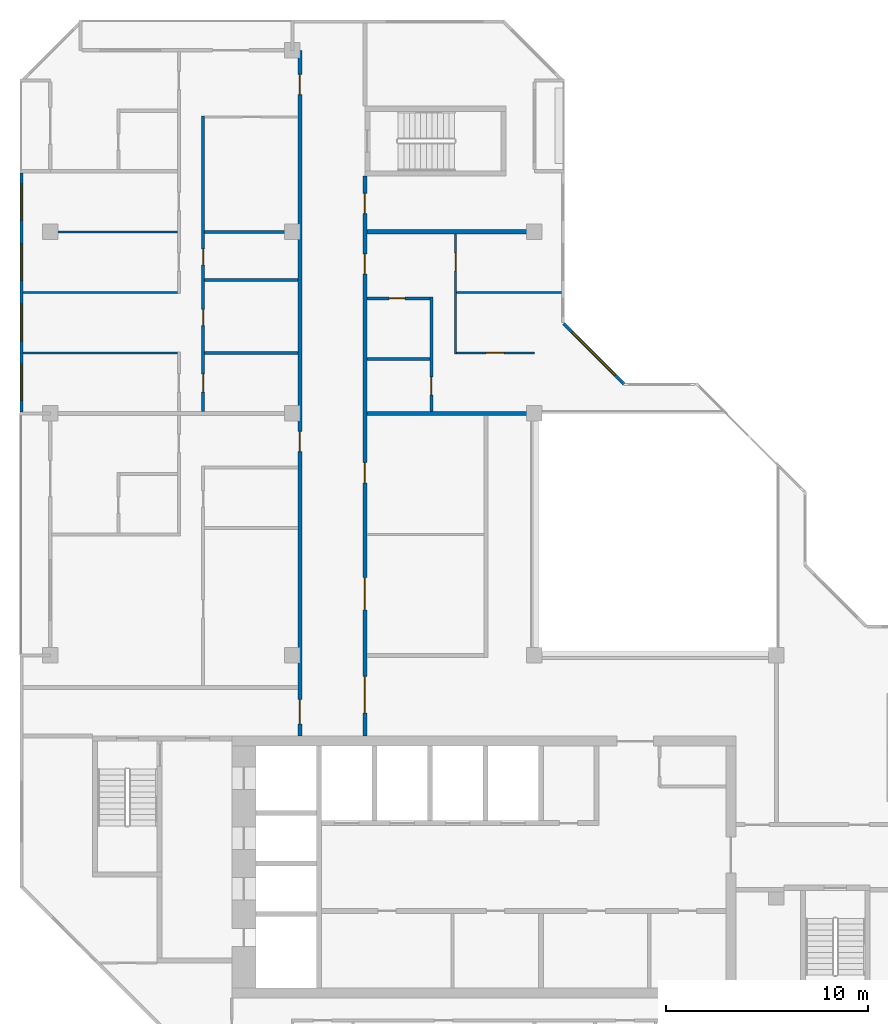
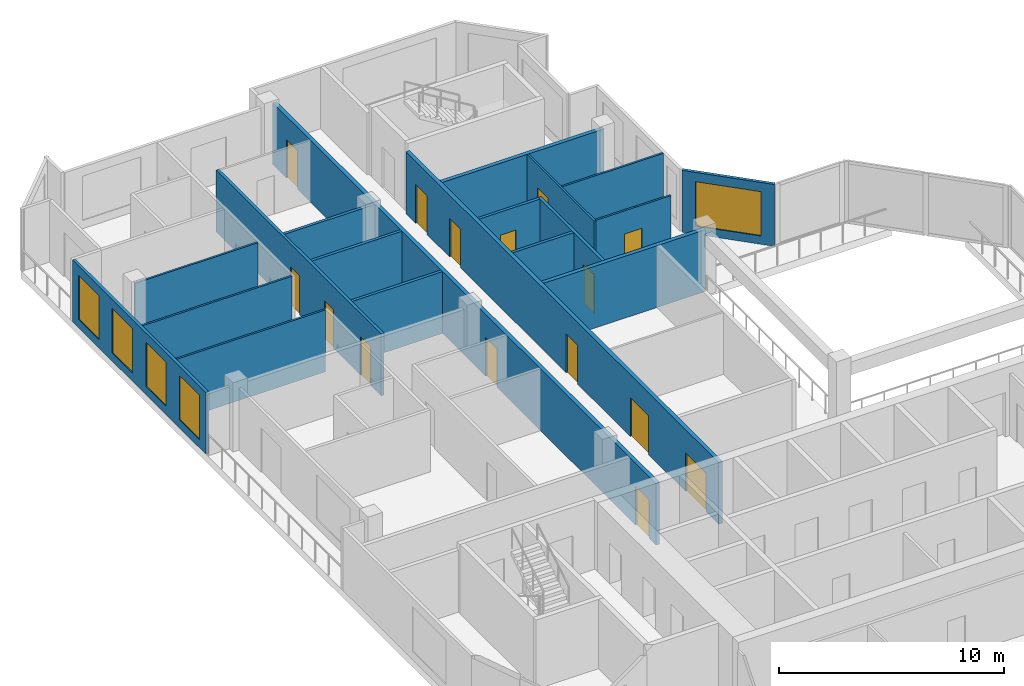
# One storey, part 8 of 12: 19 walls, 15 doors, 5 windows, 20 openings.
"""IFC4 building model written with IfcOpenShell, lengths in metres."""

from ifc_helpers import new_model, si_unit, direction, frame, frame_2d, origin, place, context, subcontext, project, spatial, rectangle, extrude, material, layer, layer_set, type_object, element, fill, save


model = new_model("IFC4")

# Units and contexts
model_context = context("Model", 3, precision=1e-05, world=origin(), true_north=direction((0.0, 1.0)))
body_context = subcontext(model_context, "Body", "Model", "MODEL_VIEW")
ifc_project = project(units=[si_unit("LENGTHUNIT", "METRE"), si_unit("AREAUNIT", "SQUARE_METRE"), si_unit("VOLUMEUNIT", "CUBIC_METRE"), si_unit("PLANEANGLEUNIT", "RADIAN"), si_unit("MASSUNIT", "GRAM", prefix="KILO")], contexts=[model_context])

# Site, building, storey
site_placement = place(None, origin())
site = spatial("IfcSite", under=ifc_project, at=site_placement, CompositionType="ELEMENT")
building_placement = place(site_placement, origin())
building = spatial("IfcBuilding", under=site, at=building_placement, Name="Chenar Terraces", CompositionType="ELEMENT")
storey_placement = place(building_placement, frame((0.0, 0.0, 342.64990234375)))
storey = spatial("IfcBuildingStorey", under=building, at=storey_placement, Name="L79", CompositionType="ELEMENT", Elevation=342.64990234375)

# Wall, openings, doors
ifc_material_1 = material(Name="Gypsum board on steel studs with fire boards", Category="steel")
ifc_layer_1 = layer(ifc_material_1, 0.199951171875)
ifc_layer_set_1 = layer_set([ifc_layer_1], Name="Gypsum board on steel studs with fire boards")
wall_type_1 = type_object("IfcWallType", Name="Corridor wall 200", PredefinedType="PARTITIONING", material=ifc_layer_set_1)
wall_1_placement = place(storey_placement, frame((12.375, 20.0, 0.0), z_axis=(0.0, 0.0, 1.0), x_axis=(0.0, 1.0, 0.0)))
wall_1 = element("IfcWall", 1, at=wall_1_placement, inside=storey, type_object=wall_type_1, Name="Partition L79-029", PredefinedType="PARTITIONING", context=body_context, shape_type="SweptSolid", body=[
    extrude(rectangle(XDim=34.0, YDim=0.199951171875, at=frame_2d((17.0, 0.0))), origin(), (0.0, 0.0, 1.0), 3.35009765625),
])
opening_1_placement = place(wall_1_placement, frame((31.800048828125, 0.0, 0.0)))
opening_1 = element("IfcOpeningElement", 2, at=opening_1_placement, cuts=wall_1, Name="Opening DL79-15", PredefinedType="OPENING", context=body_context, shape_type="SweptSolid", body=[
    extrude(rectangle(XDim=1.0, YDim=2.10009765625, at=frame_2d((0.5, 1.050048828125))), frame((0.0, 0.10986328125, 0.0), z_axis=(0.0, -1.0, 0.0), x_axis=(1.0, 0.0, 0.0)), (0.0, 0.0, 1.0), 0.219970703125),
])
opening_2_placement = place(wall_1_placement, frame((0.60009765625, 0.0, 0.0)))
opening_2 = element("IfcOpeningElement", 3, at=opening_2_placement, cuts=wall_1, Name="Opening DL79-21", PredefinedType="OPENING", context=body_context, shape_type="SweptSolid", body=[
    extrude(rectangle(XDim=1.199951171875, YDim=2.10009765625, at=frame_2d((0.60009765625, 1.050048828125))), frame((0.0, 0.10986328125, 0.0), z_axis=(0.0, -1.0, 0.0), x_axis=(1.0, 0.0, 0.0)), (0.0, 0.0, 1.0), 0.219970703125),
])
opening_3_placement = place(wall_1_placement, frame((14.10009765625, 0.0, 0.0)))
opening_3 = element("IfcOpeningElement", 4, at=opening_3_placement, cuts=wall_1, Name="Opening DL79-44", PredefinedType="OPENING", context=body_context, shape_type="SweptSolid", body=[
    extrude(rectangle(XDim=1.0, YDim=2.10009765625, at=frame_2d((0.5, 1.050048828125))), frame((0.0, 0.10986328125, 0.0), z_axis=(0.0, -1.0, 0.0), x_axis=(1.0, 0.0, 0.0)), (0.0, 0.0, 1.0), 0.219970703125),
])
ifc_material_2 = material(Name="Steel-framed fire-resisting door leaf", Category="steel")
door_type_1 = type_object("IfcDoorType", Name="Fire door FD30S 1000 x 2100", OperationType="SINGLE_SWING_LEFT", PredefinedType="DOOR", material=ifc_material_2)
door_1_placement = place(opening_1_placement, origin())
door_1 = element("IfcDoor", 5, at=door_1_placement, inside=storey, type_object=door_type_1, Name="Door DL79-15", OperationType="SINGLE_SWING_RIGHT", OverallHeight=2.10009765625, OverallWidth=1.0, PredefinedType="DOOR", context=body_context, shape_type="SweptSolid", body=[
    extrude(rectangle(XDim=1.0, YDim=2.10009765625, at=frame_2d((0.5, 1.050048828125))), frame((0.0, 0.02490234375, 0.0), z_axis=(0.0, -1.0, 0.0), x_axis=(1.0, 0.0, 0.0)), (0.0, 0.0, 1.0), 0.050048828125),
])
fill(opening_1, door_1)
door_2_placement = place(opening_3_placement, origin())
door_2 = element("IfcDoor", 6, at=door_2_placement, inside=storey, type_object=door_type_1, Name="Door DL79-44", OperationType="SINGLE_SWING_RIGHT", OverallHeight=2.10009765625, OverallWidth=1.0, PredefinedType="DOOR", context=body_context, shape_type="SweptSolid", body=[
    extrude(rectangle(XDim=1.0, YDim=2.10009765625, at=frame_2d((0.5, 1.050048828125))), frame((0.0, 0.02490234375, 0.0), z_axis=(0.0, -1.0, 0.0), x_axis=(1.0, 0.0, 0.0)), (0.0, 0.0, 1.0), 0.050048828125),
])
fill(opening_3, door_2)
ifc_material_3 = material(Name="Steel-framed fire-resisting door leaf", Category="steel")
door_type_2 = type_object("IfcDoorType", Name="Fire door FD30S 1200 x 2100", OperationType="SINGLE_SWING_LEFT", PredefinedType="DOOR", material=ifc_material_3)
door_3_placement = place(opening_2_placement, origin())
door_3 = element("IfcDoor", 7, at=door_3_placement, inside=storey, type_object=door_type_2, Name="Door DL79-21", OperationType="SINGLE_SWING_RIGHT", OverallHeight=2.10009765625, OverallWidth=1.199951171875, PredefinedType="DOOR", context=body_context, shape_type="SweptSolid", body=[
    extrude(rectangle(XDim=1.199951171875, YDim=2.10009765625, at=frame_2d((0.60009765625, 1.050048828125))), frame((0.0, 0.02490234375, 0.0), z_axis=(0.0, -1.0, 0.0), x_axis=(1.0, 0.0, 0.0)), (0.0, 0.0, 1.0), 0.050048828125),
])
fill(opening_2, door_3)

wall_2_placement = place(storey_placement, frame((15.60009765625, 20.0, 0.0), z_axis=(0.0, 0.0, 1.0), x_axis=(0.0, 1.0, 0.0)))
wall_2 = element("IfcWall", 8, at=wall_2_placement, inside=storey, type_object=wall_type_1, Name="Partition L79-031", PredefinedType="PARTITIONING", context=body_context, shape_type="SweptSolid", body=[
    extrude(rectangle(XDim=27.77490234375, YDim=0.199951171875, at=frame_2d((13.887451171875, 0.0))), origin(), (0.0, 0.0, 1.0), 3.35009765625),
])
opening_4_placement = place(wall_2_placement, frame((6.25, 0.0, 0.0)))
opening_4 = element("IfcOpeningElement", 9, at=opening_4_placement, cuts=wall_2, Name="Opening DL79-1", PredefinedType="OPENING", context=body_context, shape_type="SweptSolid", body=[
    extrude(rectangle(XDim=1.60009765625, YDim=2.10009765625, at=frame_2d((0.800048828125, 1.050048828125))), frame((0.0, 0.10986328125, 0.0), z_axis=(0.0, -1.0, 0.0), x_axis=(1.0, 0.0, 0.0)), (0.0, 0.0, 1.0), 0.219970703125),
])
opening_5_placement = place(wall_2_placement, frame((12.550048828125, 0.0, 0.0)))
opening_5 = element("IfcOpeningElement", 10, at=opening_5_placement, cuts=wall_2, Name="Opening DL79-2", PredefinedType="OPENING", context=body_context, shape_type="SweptSolid", body=[
    extrude(rectangle(XDim=1.0, YDim=2.10009765625, at=frame_2d((0.5, 1.050048828125))), frame((0.0, 0.10986328125, 0.0), z_axis=(0.0, -1.0, 0.0), x_axis=(1.0, 0.0, 0.0)), (0.0, 0.0, 1.0), 0.219970703125),
])
opening_6_placement = place(wall_2_placement, frame((22.89990234375, 0.0, 0.0)))
opening_6 = element("IfcOpeningElement", 11, at=opening_6_placement, cuts=wall_2, Name="Opening DL79-8", PredefinedType="OPENING", context=body_context, shape_type="SweptSolid", body=[
    extrude(rectangle(XDim=1.0, YDim=2.10009765625, at=frame_2d((0.5, 1.050048828125))), frame((0.0, 0.10986328125, 0.0), z_axis=(0.0, -1.0, 0.0), x_axis=(1.0, 0.0, 0.0)), (0.0, 0.0, 1.0), 0.219970703125),
])
opening_7_placement = place(wall_2_placement, frame((1.14990234375, 0.0, 0.0)))
opening_7 = element("IfcOpeningElement", 12, at=opening_7_placement, cuts=wall_2, Name="Opening DL79-20", PredefinedType="OPENING", context=body_context, shape_type="SweptSolid", body=[
    extrude(rectangle(XDim=1.800048828125, YDim=2.10009765625, at=frame_2d((0.89990234375, 1.050048828125))), frame((0.0, 0.10986328125, 0.0), z_axis=(0.0, -1.0, 0.0), x_axis=(1.0, 0.0, 0.0)), (0.0, 0.0, 1.0), 0.219970703125),
])
opening_8_placement = place(wall_2_placement, frame((25.89990234375, 0.0, 0.0)))
opening_8 = element("IfcOpeningElement", 13, at=opening_8_placement, cuts=wall_2, Name="Opening DL79-23", PredefinedType="OPENING", context=body_context, shape_type="SweptSolid", body=[
    extrude(rectangle(XDim=1.0, YDim=2.10009765625, at=frame_2d((0.5, 1.050048828125))), frame((0.0, 0.10986328125, 0.0), z_axis=(0.0, -1.0, 0.0), x_axis=(1.0, 0.0, 0.0)), (0.0, 0.0, 1.0), 0.219970703125),
])
ifc_material_4 = material(Name="Steel-framed fire-resisting door leaf", Category="steel")
door_type_3 = type_object("IfcDoorType", Name="Fire door FD60 1000 x 2100", OperationType="SINGLE_SWING_LEFT", PredefinedType="DOOR", material=ifc_material_4)
door_4_placement = place(opening_5_placement, frame((1.0, 0.0, 0.0), z_axis=(0.0, 0.0, 1.0), x_axis=(-1.0, 0.0, 0.0)))
door_4 = element("IfcDoor", 14, at=door_4_placement, inside=storey, type_object=door_type_3, Name="Door DL79-2", OperationType="SINGLE_SWING_LEFT", OverallHeight=2.10009765625, OverallWidth=1.0, PredefinedType="DOOR", context=body_context, shape_type="SweptSolid", body=[
    extrude(rectangle(XDim=1.0, YDim=2.10009765625, at=frame_2d((0.5, 1.050048828125))), frame((0.0, 0.02490234375, 0.0), z_axis=(0.0, -1.0, 0.0), x_axis=(1.0, 0.0, 0.0)), (0.0, 0.0, 1.0), 0.050048828125),
])
fill(opening_5, door_4)
door_5_placement = place(opening_6_placement, frame((1.0, 0.0, 0.0), z_axis=(0.0, 0.0, 1.0), x_axis=(-1.0, 0.0, 0.0)))
door_5 = element("IfcDoor", 15, at=door_5_placement, inside=storey, type_object=door_type_3, Name="Door DL79-8", OperationType="SINGLE_SWING_LEFT", OverallHeight=2.10009765625, OverallWidth=1.0, PredefinedType="DOOR", context=body_context, shape_type="SweptSolid", body=[
    extrude(rectangle(XDim=1.0, YDim=2.10009765625, at=frame_2d((0.5, 1.050048828125))), frame((0.0, 0.02490234375, 0.0), z_axis=(0.0, -1.0, 0.0), x_axis=(1.0, 0.0, 0.0)), (0.0, 0.0, 1.0), 0.050048828125),
])
fill(opening_6, door_5)
door_6_placement = place(opening_8_placement, frame((1.0, 0.0, 0.0), z_axis=(0.0, 0.0, 1.0), x_axis=(-1.0, 0.0, 0.0)))
door_6 = element("IfcDoor", 16, at=door_6_placement, inside=storey, type_object=door_type_3, Name="Door DL79-23", OperationType="SINGLE_SWING_RIGHT", OverallHeight=2.10009765625, OverallWidth=1.0, PredefinedType="DOOR", context=body_context, shape_type="SweptSolid", body=[
    extrude(rectangle(XDim=1.0, YDim=2.10009765625, at=frame_2d((0.5, 1.050048828125))), frame((0.0, 0.02490234375, 0.0), z_axis=(0.0, -1.0, 0.0), x_axis=(1.0, 0.0, 0.0)), (0.0, 0.0, 1.0), 0.050048828125),
])
fill(opening_8, door_6)
ifc_material_5 = material(Name="Steel-framed fire-resisting door leaf", Category="steel")
door_type_4 = type_object("IfcDoorType", Name="Fire double door FD60 1600 x 2100", OperationType="DOUBLE_DOOR_SINGLE_SWING", PredefinedType="DOOR", material=ifc_material_5)
door_7_placement = place(opening_4_placement, frame((1.60009765625, 0.0, 0.0), z_axis=(0.0, 0.0, 1.0), x_axis=(-1.0, 0.0, 0.0)))
door_7 = element("IfcDoor", 17, at=door_7_placement, inside=storey, type_object=door_type_4, Name="Door DL79-1", OperationType="DOUBLE_DOOR_SINGLE_SWING", OverallHeight=2.10009765625, OverallWidth=1.60009765625, PredefinedType="DOOR", context=body_context, shape_type="SweptSolid", body=[
    extrude(rectangle(XDim=1.60009765625, YDim=2.10009765625, at=frame_2d((0.800048828125, 1.050048828125))), frame((0.0, 0.02490234375, 0.0), z_axis=(0.0, -1.0, 0.0), x_axis=(1.0, 0.0, 0.0)), (0.0, 0.0, 1.0), 0.050048828125),
])
fill(opening_4, door_7)
ifc_material_6 = material(Name="Steel-framed fire-resisting door leaf", Category="steel")
door_type_5 = type_object("IfcDoorType", Name="Fire double door FD60 1800 x 2100", OperationType="DOUBLE_DOOR_SINGLE_SWING", PredefinedType="DOOR", material=ifc_material_6)
door_8_placement = place(opening_7_placement, frame((1.800048828125, 0.0, 0.0), z_axis=(0.0, 0.0, 1.0), x_axis=(-1.0, 0.0, 0.0)))
door_8 = element("IfcDoor", 18, at=door_8_placement, inside=storey, type_object=door_type_5, Name="Door DL79-20", OperationType="DOUBLE_DOOR_SINGLE_SWING", OverallHeight=2.10009765625, OverallWidth=1.800048828125, PredefinedType="DOOR", context=body_context, shape_type="SweptSolid", body=[
    extrude(rectangle(XDim=1.800048828125, YDim=2.10009765625, at=frame_2d((0.89990234375, 1.050048828125))), frame((0.0, 0.02490234375, 0.0), z_axis=(0.0, -1.0, 0.0), x_axis=(1.0, 0.0, 0.0)), (0.0, 0.0, 1.0), 0.050048828125),
])
fill(opening_7, door_8)

# Wall, openings, windows
ifc_material_7 = material(Name="Aluminium framed glazing", Category="aluminium")
ifc_layer_2 = layer(ifc_material_7, 0.14990234375)
ifc_layer_set_2 = layer_set([ifc_layer_2], Name="Aluminium framed glazing")
wall_type_2 = type_object("IfcWallType", Name="Glazed flush facade wall 150", PredefinedType="SOLIDWALL", material=ifc_layer_set_2)
wall_3_placement = place(storey_placement, frame((-1.425048828125, 47.925048828125, 0.0), z_axis=(0.0, 0.0, 1.0), x_axis=(0.0, -1.0, 0.0)))
wall_3 = element("IfcWall", 19, at=wall_3_placement, inside=storey, type_object=wall_type_2, Name="Glazed flush facade wall", PredefinedType="SOLIDWALL", context=body_context, shape_type="SweptSolid", body=[
    extrude(rectangle(XDim=11.85009765625, YDim=0.14990234375, at=frame_2d((5.925048828125, 0.0))), origin(), (0.0, 0.0, 1.0), 3.35009765625),
])
opening_9_placement = place(wall_3_placement, frame((0.5625, 0.0, 0.449951171875)))
opening_9 = element("IfcOpeningElement", 20, at=opening_9_placement, cuts=wall_3, Name="Opening W180x240", PredefinedType="OPENING", context=body_context, shape_type="SweptSolid", body=[
    extrude(rectangle(XDim=1.800048828125, YDim=2.39990234375, at=frame_2d((0.89990234375, 1.199951171875))), frame((0.0, 0.0849609375, 0.0), z_axis=(0.0, -1.0, 0.0), x_axis=(1.0, 0.0, 0.0)), (0.0, 0.0, 1.0), 0.169921875),
])
opening_10_placement = place(wall_3_placement, frame((3.52490234375, 0.0, 0.449951171875)))
opening_10 = element("IfcOpeningElement", 21, at=opening_10_placement, cuts=wall_3, Name="Opening W180x240", PredefinedType="OPENING", context=body_context, shape_type="SweptSolid", body=[
    extrude(rectangle(XDim=1.800048828125, YDim=2.39990234375, at=frame_2d((0.89990234375, 1.199951171875))), frame((0.0, 0.0849609375, 0.0), z_axis=(0.0, -1.0, 0.0), x_axis=(1.0, 0.0, 0.0)), (0.0, 0.0, 1.0), 0.169921875),
])
opening_11_placement = place(wall_3_placement, frame((6.52490234375, 0.0, 0.449951171875)))
opening_11 = element("IfcOpeningElement", 22, at=opening_11_placement, cuts=wall_3, Name="Opening W180x240", PredefinedType="OPENING", context=body_context, shape_type="SweptSolid", body=[
    extrude(rectangle(XDim=1.800048828125, YDim=2.39990234375, at=frame_2d((0.89990234375, 1.199951171875))), frame((0.0, 0.0849609375, 0.0), z_axis=(0.0, -1.0, 0.0), x_axis=(1.0, 0.0, 0.0)), (0.0, 0.0, 1.0), 0.169921875),
])
opening_12_placement = place(wall_3_placement, frame((9.487548828125, 0.0, 0.449951171875)))
opening_12 = element("IfcOpeningElement", 23, at=opening_12_placement, cuts=wall_3, Name="Opening W180x240", PredefinedType="OPENING", context=body_context, shape_type="SweptSolid", body=[
    extrude(rectangle(XDim=1.800048828125, YDim=2.39990234375, at=frame_2d((0.89990234375, 1.199951171875))), frame((0.0, 0.0849609375, 0.0), z_axis=(0.0, -1.0, 0.0), x_axis=(1.0, 0.0, 0.0)), (0.0, 0.0, 1.0), 0.169921875),
])
ifc_material_8 = material(Name="Low emissivity double glazing, aluminium frame", Category="aluminium")
window_type_1 = type_object("IfcWindowType", Name="Fixed light 1800 x 2400", PartitioningType="SINGLE_PANEL", PredefinedType="WINDOW", material=ifc_material_8)
window_1_placement = place(opening_9_placement, origin())
window_1 = element("IfcWindow", 24, at=window_1_placement, inside=storey, type_object=window_type_1, Name="Window", OverallHeight=2.39990234375, OverallWidth=1.800048828125, PartitioningType="SINGLE_PANEL", PredefinedType="WINDOW", context=body_context, shape_type="SweptSolid", body=[
    extrude(rectangle(XDim=1.800048828125, YDim=2.39990234375, at=frame_2d((0.89990234375, 1.199951171875))), frame((0.0, 0.030029296875, 0.0), z_axis=(0.0, -1.0, 0.0), x_axis=(1.0, 0.0, 0.0)), (0.0, 0.0, 1.0), 0.06005859375),
])
fill(opening_9, window_1)
window_2_placement = place(opening_10_placement, origin())
window_2 = element("IfcWindow", 25, at=window_2_placement, inside=storey, type_object=window_type_1, Name="Window", OverallHeight=2.39990234375, OverallWidth=1.800048828125, PartitioningType="SINGLE_PANEL", PredefinedType="WINDOW", context=body_context, shape_type="SweptSolid", body=[
    extrude(rectangle(XDim=1.800048828125, YDim=2.39990234375, at=frame_2d((0.89990234375, 1.199951171875))), frame((0.0, 0.030029296875, 0.0), z_axis=(0.0, -1.0, 0.0), x_axis=(1.0, 0.0, 0.0)), (0.0, 0.0, 1.0), 0.06005859375),
])
fill(opening_10, window_2)
window_3_placement = place(opening_11_placement, origin())
window_3 = element("IfcWindow", 26, at=window_3_placement, inside=storey, type_object=window_type_1, Name="Window", OverallHeight=2.39990234375, OverallWidth=1.800048828125, PartitioningType="SINGLE_PANEL", PredefinedType="WINDOW", context=body_context, shape_type="SweptSolid", body=[
    extrude(rectangle(XDim=1.800048828125, YDim=2.39990234375, at=frame_2d((0.89990234375, 1.199951171875))), frame((0.0, 0.030029296875, 0.0), z_axis=(0.0, -1.0, 0.0), x_axis=(1.0, 0.0, 0.0)), (0.0, 0.0, 1.0), 0.06005859375),
])
fill(opening_11, window_3)
window_4_placement = place(opening_12_placement, origin())
window_4 = element("IfcWindow", 27, at=window_4_placement, inside=storey, type_object=window_type_1, Name="Window", OverallHeight=2.39990234375, OverallWidth=1.800048828125, PartitioningType="SINGLE_PANEL", PredefinedType="WINDOW", context=body_context, shape_type="SweptSolid", body=[
    extrude(rectangle(XDim=1.800048828125, YDim=2.39990234375, at=frame_2d((0.89990234375, 1.199951171875))), frame((0.0, 0.030029296875, 0.0), z_axis=(0.0, -1.0, 0.0), x_axis=(1.0, 0.0, 0.0)), (0.0, 0.0, 1.0), 0.06005859375),
])
fill(opening_12, window_4)

# Walls
ifc_material_9 = material(Name="Gypsum board on steel studs", Category="steel")
ifc_layer_3 = layer(ifc_material_9, 0.10009765625)
ifc_layer_set_3 = layer_set([ifc_layer_3], Name="Gypsum board on steel studs")
wall_type_3 = type_object("IfcWallType", Name="Gypsum partition 100", PredefinedType="PARTITIONING", material=ifc_layer_set_3)
for number, where, z_axis, x_axis, name in (
    (28, (-1.35009765625, 39.0, 0.0), (0.0, 0.0, 1.0), (1.0, 0.0, 0.0), "Partition L79-004"),
    (29, (-1.35009765625, 42.0, 0.0), (0.0, 0.0, 1.0), (1.0, 0.0, 0.0), "Partition L79-005"),
):
    element("IfcWall", number, at=place(storey_placement, frame(where, z_axis=z_axis, x_axis=x_axis)), inside=storey, type_object=wall_type_3, Name=name, PredefinedType="PARTITIONING", context=body_context, shape_type="SweptSolid", body=[
        extrude(rectangle(XDim=7.650146484375, YDim=0.10009765625, at=frame_2d((3.8251953125, 0.0))), origin(), (0.0, 0.0, 1.0), 3.35009765625),
    ])
wall_4_placement = place(storey_placement, frame((0.0, 45.0, 0.0), z_axis=(0.0, 0.0, 1.0), x_axis=(1.0, 0.0, 0.0)))
element("IfcWall", 30, at=wall_4_placement, inside=storey, type_object=wall_type_3, Name="Partition L79-006", PredefinedType="PARTITIONING", context=body_context, shape_type="SweptSolid", body=[
    extrude(rectangle(XDim=6.300048828125, YDim=0.10009765625, at=frame_2d((3.14990234375, 0.0))), origin(), (0.0, 0.0, 1.0), 3.35009765625),
])

# Wall, opening, door
wall_5_placement = place(storey_placement, frame((20.10009765625, 38.949951171875, 0.0), z_axis=(0.0, 0.0, 1.0), x_axis=(0.0, 1.0, 0.0)))
wall_5 = element("IfcWall", 31, at=wall_5_placement, inside=storey, type_object=wall_type_3, Name="Partition L79-040", PredefinedType="PARTITIONING", context=body_context, shape_type="SweptSolid", body=[
    extrude(rectangle(XDim=5.949951171875, YDim=0.10009765625, at=frame_2d((2.97509765625, 0.0))), origin(), (0.0, 0.0, 1.0), 3.35009765625),
])
opening_13_placement = place(wall_5_placement, frame((4.10009765625, 0.0, 0.0)))
opening_13 = element("IfcOpeningElement", 32, at=opening_13_placement, cuts=wall_5, Name="Opening DL79-6", PredefinedType="OPENING", context=body_context, shape_type="SweptSolid", body=[
    extrude(rectangle(XDim=0.89990234375, YDim=2.10009765625, at=frame_2d((0.449951171875, 1.050048828125))), frame((0.0, 0.06005859375, 0.0), z_axis=(0.0, -1.0, 0.0), x_axis=(1.0, 0.0, 0.0)), (0.0, 0.0, 1.0), 0.1201171875),
])
ifc_material_10 = material(Name="Veneered timber door leaf", Category="wood")
door_type_6 = type_object("IfcDoorType", Name="Door 900 x 2100", OperationType="SINGLE_SWING_LEFT", PredefinedType="DOOR", material=ifc_material_10)
door_9_placement = place(opening_13_placement, frame((0.89990234375, 0.0, 0.0), z_axis=(0.0, 0.0, 1.0), x_axis=(-1.0, 0.0, 0.0)))
door_9 = element("IfcDoor", 33, at=door_9_placement, inside=storey, type_object=door_type_6, Name="Door DL79-6", OperationType="SINGLE_SWING_LEFT", OverallHeight=2.10009765625, OverallWidth=0.89990234375, PredefinedType="DOOR", context=body_context, shape_type="SweptSolid", body=[
    extrude(rectangle(XDim=0.89990234375, YDim=2.10009765625, at=frame_2d((0.449951171875, 1.050048828125))), frame((0.0, 0.02490234375, 0.0), z_axis=(0.0, -1.0, 0.0), x_axis=(1.0, 0.0, 0.0)), (0.0, 0.0, 1.0), 0.050048828125),
])
fill(opening_13, door_9)

wall_6_placement = place(storey_placement, frame((20.14990234375, 39.0, 0.0), z_axis=(0.0, 0.0, 1.0), x_axis=(1.0, 0.0, 0.0)))
wall_6 = element("IfcWall", 34, at=wall_6_placement, inside=storey, type_object=wall_type_3, Name="Partition L79-041", PredefinedType="PARTITIONING", context=body_context, shape_type="SweptSolid", body=[
    extrude(rectangle(XDim=3.85009765625, YDim=0.10009765625, at=frame_2d((1.925048828125, 0.0))), origin(), (0.0, 0.0, 1.0), 3.35009765625),
])
opening_14_placement = place(wall_6_placement, frame((1.449951171875, 0.0, 0.0)))
opening_14 = element("IfcOpeningElement", 35, at=opening_14_placement, cuts=wall_6, Name="Opening DL79-5", PredefinedType="OPENING", context=body_context, shape_type="SweptSolid", body=[
    extrude(rectangle(XDim=0.89990234375, YDim=2.10009765625, at=frame_2d((0.449951171875, 1.050048828125))), frame((0.0, 0.06005859375, 0.0), z_axis=(0.0, -1.0, 0.0), x_axis=(1.0, 0.0, 0.0)), (0.0, 0.0, 1.0), 0.1201171875),
])
door_10_placement = place(opening_14_placement, origin())
door_10 = element("IfcDoor", 36, at=door_10_placement, inside=storey, type_object=door_type_6, Name="Door DL79-5", OperationType="SINGLE_SWING_LEFT", OverallHeight=2.10009765625, OverallWidth=0.89990234375, PredefinedType="DOOR", context=body_context, shape_type="SweptSolid", body=[
    extrude(rectangle(XDim=0.89990234375, YDim=2.10009765625, at=frame_2d((0.449951171875, 1.050048828125))), frame((0.0, 0.02490234375, 0.0), z_axis=(0.0, -1.0, 0.0), x_axis=(1.0, 0.0, 0.0)), (0.0, 0.0, 1.0), 0.050048828125),
])
fill(opening_14, door_10)

# Wall
wall_7_placement = place(storey_placement, frame((20.14990234375, 42.0, 0.0), z_axis=(0.0, 0.0, 1.0), x_axis=(1.0, 0.0, 0.0)))
element("IfcWall", 37, at=wall_7_placement, inside=storey, type_object=wall_type_3, Name="Partition L79-042", PredefinedType="PARTITIONING", context=body_context, shape_type="SweptSolid", body=[
    extrude(rectangle(XDim=5.201171875, YDim=0.10009765625, at=frame_2d((2.6005859375, 0.0))), origin(), (0.0, 0.0, 1.0), 3.35009765625),
])

# Wall, opening, window
ifc_material_11 = material(Name="Terracotta cladding on insulated backing", Category="masonry")
ifc_layer_4 = layer(ifc_material_11, 0.14990234375)
ifc_layer_set_4 = layer_set([ifc_layer_4], Name="Terracotta cladding on insulated backing")
wall_type_4 = type_object("IfcWallType", Name="Terracotta rainscreen wall 150", PredefinedType="SOLIDWALL", material=ifc_layer_set_4)
wall_8_placement = place(storey_placement, frame((28.447021484375, 37.447021484375, 0.0), z_axis=(0.0, 0.0, 1.0), x_axis=(-0.707106781187, 0.707106781187, 0.0)))
wall_8 = element("IfcWall", 38, at=wall_8_placement, inside=storey, type_object=wall_type_4, Name="Terracotta rainscreen wall", PredefinedType="SOLIDWALL", context=body_context, shape_type="SweptSolid", body=[
    extrude(rectangle(XDim=4.24267578125, YDim=0.14990234375, at=frame_2d((2.121337890625, 0.0))), origin(), (0.0, 0.0, 1.0), 3.35009765625),
])
opening_15_placement = place(wall_8_placement, frame((0.621337890625, 0.0, 0.449951171875)))
opening_15 = element("IfcOpeningElement", 39, at=opening_15_placement, cuts=wall_8, Name="Opening W300x240", PredefinedType="OPENING", context=body_context, shape_type="SweptSolid", body=[
    extrude(rectangle(XDim=3.0, YDim=2.39990234375, at=frame_2d((1.5, 1.199951171875))), frame((0.0, 0.0849609375, 0.0), z_axis=(0.0, -1.0, 0.0), x_axis=(1.0, 0.0, 0.0)), (0.0, 0.0, 1.0), 0.169921875),
])
ifc_material_12 = material(Name="Low emissivity double glazing, aluminium frame", Category="aluminium")
window_type_2 = type_object("IfcWindowType", Name="Fixed light 3000 x 2400", PartitioningType="SINGLE_PANEL", PredefinedType="WINDOW", material=ifc_material_12)
window_5_placement = place(opening_15_placement, origin())
window_5 = element("IfcWindow", 40, at=window_5_placement, inside=storey, type_object=window_type_2, Name="Window", OverallHeight=2.39990234375, OverallWidth=3.0, PartitioningType="SINGLE_PANEL", PredefinedType="WINDOW", context=body_context, shape_type="SweptSolid", body=[
    extrude(rectangle(XDim=3.0, YDim=2.39990234375, at=frame_2d((1.5, 1.199951171875))), frame((0.0, 0.030029296875, 0.0), z_axis=(0.0, -1.0, 0.0), x_axis=(1.0, 0.0, 0.0)), (0.0, 0.0, 1.0), 0.06005859375),
])
fill(opening_15, window_5)

# Walls
ifc_material_13 = material(Name="Twin gypsum board on steel studs with mineral wool", Category="steel")
ifc_layer_5 = layer(ifc_material_13, 0.199951171875)
ifc_layer_set_5 = layer_set([ifc_layer_5], Name="Twin gypsum board on steel studs with mineral wool")
wall_type_5 = type_object("IfcWallType", Name="Unit demising wall 200", PredefinedType="PARTITIONING", material=ifc_layer_set_5)
for number, where, z_axis, x_axis, name in (
    (41, (15.699951171875, 36.0, 0.0), (0.0, 0.0, 1.0), (1.0, 0.0, 0.0), "Partition L79-035"),
    (42, (15.699951171875, 45.0, 0.0), (0.0, 0.0, 1.0), (1.0, 0.0, 0.0), "Partition L79-038"),
):
    element("IfcWall", number, at=place(storey_placement, frame(where, z_axis=z_axis, x_axis=x_axis)), inside=storey, type_object=wall_type_5, Name=name, PredefinedType="PARTITIONING", context=body_context, shape_type="SweptSolid", body=[
        extrude(rectangle(XDim=8.300048828125, YDim=0.199951171875, at=frame_2d((4.14990234375, 0.0))), origin(), (0.0, 0.0, 1.0), 3.35009765625),
    ])

# Wall, openings, doors
ifc_material_14 = material(Name="Moisture-resistant gypsum board on steel studs", Category="steel")
ifc_layer_6 = layer(ifc_material_14, 0.14990234375)
ifc_layer_set_6 = layer_set([ifc_layer_6], Name="Moisture-resistant gypsum board on steel studs")
wall_type_6 = type_object("IfcWallType", Name="Wet-room partition 150", PredefinedType="PARTITIONING", material=ifc_layer_set_6)
wall_9_placement = place(storey_placement, frame((7.574951171875, 36.10009765625, 0.0), z_axis=(0.0, 0.0, 1.0), x_axis=(0.0, 1.0, 0.0)))
wall_9 = element("IfcWall", 43, at=wall_9_placement, inside=storey, type_object=wall_type_6, Name="Partition L79-018", PredefinedType="PARTITIONING", context=body_context, shape_type="SweptSolid", body=[
    extrude(rectangle(XDim=14.64990234375, YDim=0.14990234375, at=frame_2d((7.324951171875, 0.0))), origin(), (0.0, 0.0, 1.0), 3.35009765625),
])
opening_16_placement = place(wall_9_placement, frame((4.25, 0.0, 0.0)))
opening_16 = element("IfcOpeningElement", 44, at=opening_16_placement, cuts=wall_9, Name="Opening DL79-9", PredefinedType="OPENING", context=body_context, shape_type="SweptSolid", body=[
    extrude(rectangle(XDim=0.800048828125, YDim=2.10009765625, at=frame_2d((0.39990234375, 1.050048828125))), frame((0.0, 0.0849609375, 0.0), z_axis=(0.0, -1.0, 0.0), x_axis=(1.0, 0.0, 0.0)), (0.0, 0.0, 1.0), 0.169921875),
])
opening_17_placement = place(wall_9_placement, frame((0.949951171875, 0.0, 0.0)))
opening_17 = element("IfcOpeningElement", 45, at=opening_17_placement, cuts=wall_9, Name="Opening DL79-16", PredefinedType="OPENING", context=body_context, shape_type="SweptSolid", body=[
    extrude(rectangle(XDim=0.89990234375, YDim=2.10009765625, at=frame_2d((0.449951171875, 1.050048828125))), frame((0.0, 0.0849609375, 0.0), z_axis=(0.0, -1.0, 0.0), x_axis=(1.0, 0.0, 0.0)), (0.0, 0.0, 1.0), 0.169921875),
])
opening_18_placement = place(wall_9_placement, frame((7.25, 0.0, 0.0)))
opening_18 = element("IfcOpeningElement", 46, at=opening_18_placement, cuts=wall_9, Name="Opening DL79-18", PredefinedType="OPENING", context=body_context, shape_type="SweptSolid", body=[
    extrude(rectangle(XDim=0.800048828125, YDim=2.10009765625, at=frame_2d((0.39990234375, 1.050048828125))), frame((0.0, 0.0849609375, 0.0), z_axis=(0.0, -1.0, 0.0), x_axis=(1.0, 0.0, 0.0)), (0.0, 0.0, 1.0), 0.169921875),
])
ifc_material_15 = material(Name="Veneered timber door leaf", Category="wood")
door_type_7 = type_object("IfcDoorType", Name="Door 800 x 2100", OperationType="SINGLE_SWING_LEFT", PredefinedType="DOOR", material=ifc_material_15)
door_11_placement = place(opening_16_placement, frame((0.800048828125, 0.0, 0.0), z_axis=(0.0, 0.0, 1.0), x_axis=(-1.0, 0.0, 0.0)))
door_11 = element("IfcDoor", 47, at=door_11_placement, inside=storey, type_object=door_type_7, Name="Door DL79-9", OperationType="SINGLE_SWING_RIGHT", OverallHeight=2.10009765625, OverallWidth=0.800048828125, PredefinedType="DOOR", context=body_context, shape_type="SweptSolid", body=[
    extrude(rectangle(XDim=0.800048828125, YDim=2.10009765625, at=frame_2d((0.39990234375, 1.050048828125))), frame((0.0, 0.02490234375, 0.0), z_axis=(0.0, -1.0, 0.0), x_axis=(1.0, 0.0, 0.0)), (0.0, 0.0, 1.0), 0.050048828125),
])
fill(opening_16, door_11)
door_12_placement = place(opening_18_placement, frame((0.800048828125, 0.0, 0.0), z_axis=(0.0, 0.0, 1.0), x_axis=(-1.0, 0.0, 0.0)))
door_12 = element("IfcDoor", 48, at=door_12_placement, inside=storey, type_object=door_type_7, Name="Door DL79-18", OperationType="SINGLE_SWING_RIGHT", OverallHeight=2.10009765625, OverallWidth=0.800048828125, PredefinedType="DOOR", context=body_context, shape_type="SweptSolid", body=[
    extrude(rectangle(XDim=0.800048828125, YDim=2.10009765625, at=frame_2d((0.39990234375, 1.050048828125))), frame((0.0, 0.02490234375, 0.0), z_axis=(0.0, -1.0, 0.0), x_axis=(1.0, 0.0, 0.0)), (0.0, 0.0, 1.0), 0.050048828125),
])
fill(opening_18, door_12)
door_13_placement = place(opening_17_placement, frame((0.89990234375, 0.0, 0.0), z_axis=(0.0, 0.0, 1.0), x_axis=(-1.0, 0.0, 0.0)))
door_13 = element("IfcDoor", 49, at=door_13_placement, inside=storey, type_object=door_type_6, Name="Door DL79-16", OperationType="SINGLE_SWING_LEFT", OverallHeight=2.10009765625, OverallWidth=0.89990234375, PredefinedType="DOOR", context=body_context, shape_type="SweptSolid", body=[
    extrude(rectangle(XDim=0.89990234375, YDim=2.10009765625, at=frame_2d((0.449951171875, 1.050048828125))), frame((0.0, 0.02490234375, 0.0), z_axis=(0.0, -1.0, 0.0), x_axis=(1.0, 0.0, 0.0)), (0.0, 0.0, 1.0), 0.050048828125),
])
fill(opening_17, door_13)

# Walls
for number, where, z_axis, x_axis, name in (
    (50, (7.64990234375, 39.0, 0.0), (0.0, 0.0, 1.0), (1.0, 0.0, 0.0), "Partition L79-021"),
    (51, (7.64990234375, 42.60009765625, 0.0), (0.0, 0.0, 1.0), (1.0, 0.0, 0.0), "Partition L79-022"),
    (52, (7.64990234375, 45.0, 0.0), (0.0, 0.0, 1.0), (1.0, 0.0, 0.0), "Partition L79-023"),
):
    element("IfcWall", number, at=place(storey_placement, frame(where, z_axis=z_axis, x_axis=x_axis)), inside=storey, type_object=wall_type_6, Name=name, PredefinedType="PARTITIONING", context=body_context, shape_type="SweptSolid", body=[
        extrude(rectangle(XDim=4.625, YDim=0.14990234375, at=frame_2d((2.3125, 0.0))), origin(), (0.0, 0.0, 1.0), 3.35009765625),
    ])
wall_10_placement = place(storey_placement, frame((15.699951171875, 38.699951171875, 0.0), z_axis=(0.0, 0.0, 1.0), x_axis=(1.0, 0.0, 0.0)))
element("IfcWall", 53, at=wall_10_placement, inside=storey, type_object=wall_type_6, Name="Partition L79-036", PredefinedType="PARTITIONING", context=body_context, shape_type="SweptSolid", body=[
    extrude(rectangle(XDim=3.125, YDim=0.14990234375, at=frame_2d((1.5625, 0.0))), origin(), (0.0, 0.0, 1.0), 3.35009765625),
])

# Wall, opening, door
wall_11_placement = place(storey_placement, frame((15.699951171875, 41.699951171875, 0.0), z_axis=(0.0, 0.0, 1.0), x_axis=(1.0, 0.0, 0.0)))
wall_11 = element("IfcWall", 54, at=wall_11_placement, inside=storey, type_object=wall_type_6, Name="Partition L79-037", PredefinedType="PARTITIONING", context=body_context, shape_type="SweptSolid", body=[
    extrude(rectangle(XDim=3.125, YDim=0.14990234375, at=frame_2d((1.5625, 0.0))), origin(), (0.0, 0.0, 1.0), 3.35009765625),
])
opening_19_placement = place(wall_11_placement, frame((1.10009765625, 0.0, 0.0)))
opening_19 = element("IfcOpeningElement", 55, at=opening_19_placement, cuts=wall_11, Name="Opening DL79-4", PredefinedType="OPENING", context=body_context, shape_type="SweptSolid", body=[
    extrude(rectangle(XDim=0.800048828125, YDim=2.10009765625, at=frame_2d((0.39990234375, 1.050048828125))), frame((0.0, 0.0849609375, 0.0), z_axis=(0.0, -1.0, 0.0), x_axis=(1.0, 0.0, 0.0)), (0.0, 0.0, 1.0), 0.169921875),
])
door_14_placement = place(opening_19_placement, frame((0.800048828125, 0.0, 0.0), z_axis=(0.0, 0.0, 1.0), x_axis=(-1.0, 0.0, 0.0)))
door_14 = element("IfcDoor", 56, at=door_14_placement, inside=storey, type_object=door_type_7, Name="Door DL79-4", OperationType="SINGLE_SWING_RIGHT", OverallHeight=2.10009765625, OverallWidth=0.800048828125, PredefinedType="DOOR", context=body_context, shape_type="SweptSolid", body=[
    extrude(rectangle(XDim=0.800048828125, YDim=2.10009765625, at=frame_2d((0.39990234375, 1.050048828125))), frame((0.0, 0.02490234375, 0.0), z_axis=(0.0, -1.0, 0.0), x_axis=(1.0, 0.0, 0.0)), (0.0, 0.0, 1.0), 0.050048828125),
])
fill(opening_19, door_14)

wall_12_placement = place(storey_placement, frame((18.89990234375, 36.10009765625, 0.0), z_axis=(0.0, 0.0, 1.0), x_axis=(0.0, 1.0, 0.0)))
wall_12 = element("IfcWall", 57, at=wall_12_placement, inside=storey, type_object=wall_type_6, Name="Partition L79-039", PredefinedType="PARTITIONING", context=body_context, shape_type="SweptSolid", body=[
    extrude(rectangle(XDim=5.6748046875, YDim=0.14990234375, at=frame_2d((2.83740234375, 0.0))), origin(), (0.0, 0.0, 1.0), 3.35009765625),
])
opening_20_placement = place(wall_12_placement, frame((0.800048828125, 0.0, 0.0)))
opening_20 = element("IfcOpeningElement", 58, at=opening_20_placement, cuts=wall_12, Name="Opening DL79-7", PredefinedType="OPENING", context=body_context, shape_type="SweptSolid", body=[
    extrude(rectangle(XDim=0.89990234375, YDim=2.10009765625, at=frame_2d((0.449951171875, 1.050048828125))), frame((0.0, 0.0849609375, 0.0), z_axis=(0.0, -1.0, 0.0), x_axis=(1.0, 0.0, 0.0)), (0.0, 0.0, 1.0), 0.169921875),
])
door_15_placement = place(opening_20_placement, origin())
door_15 = element("IfcDoor", 59, at=door_15_placement, inside=storey, type_object=door_type_6, Name="Door DL79-7", OperationType="SINGLE_SWING_RIGHT", OverallHeight=2.10009765625, OverallWidth=0.89990234375, PredefinedType="DOOR", context=body_context, shape_type="SweptSolid", body=[
    extrude(rectangle(XDim=0.89990234375, YDim=2.10009765625, at=frame_2d((0.449951171875, 1.050048828125))), frame((0.0, 0.02490234375, 0.0), z_axis=(0.0, -1.0, 0.0), x_axis=(1.0, 0.0, 0.0)), (0.0, 0.0, 1.0), 0.050048828125),
])
fill(opening_20, door_15)

save(model, "model.ifc")
